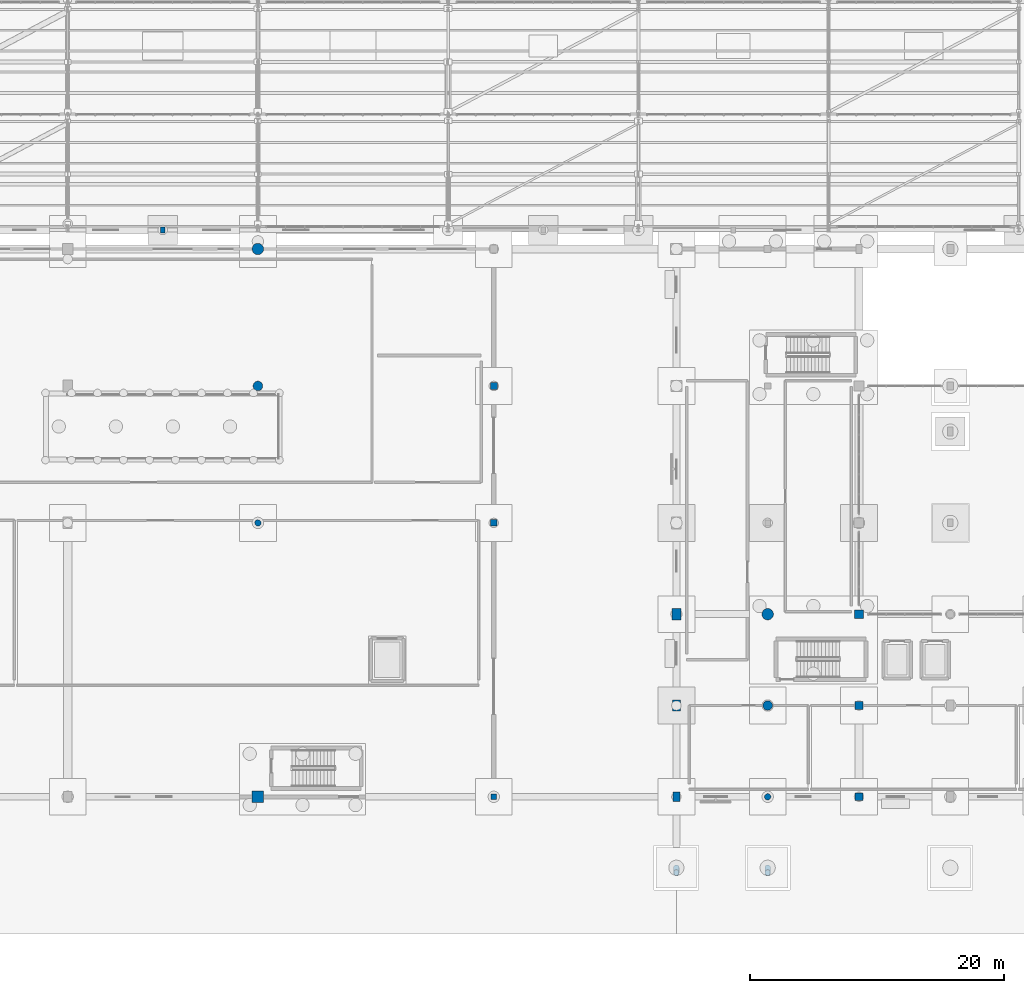
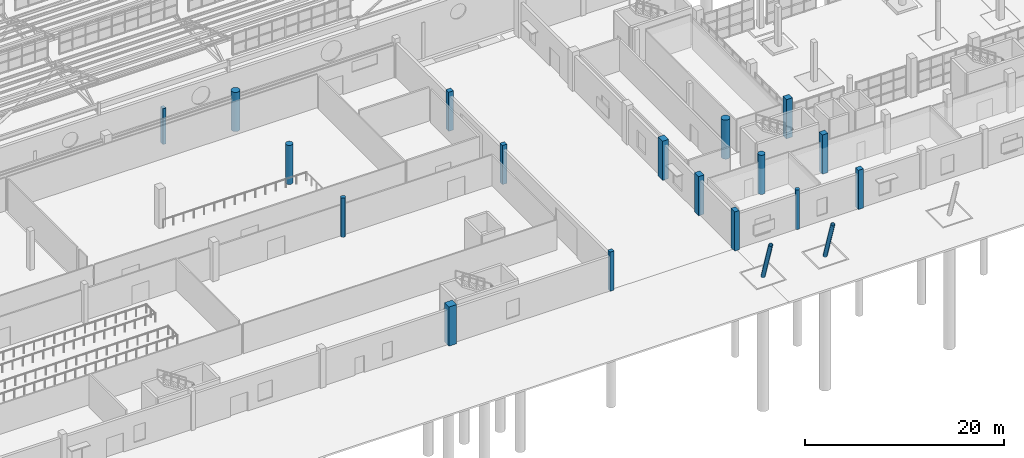
# One storey, part 15 of 285: 19 columns.
"""IFC4 building model written with IfcOpenShell, lengths in metres."""

from ifc_helpers import new_model, si_unit, direction, frame, origin, origin_2d, place, context, subcontext, project, spatial, rectangle, circle, hollow_circle, extrude, material, material_profile, profile_set, type_object, element, save


model = new_model("IFC4")

# Units and contexts
model_context = context("Model", 3, precision=1e-05, world=origin(), true_north=direction((0.0, 1.0)))
body_context = subcontext(model_context, "Body", "Model", "MODEL_VIEW")
ifc_project = project(units=[si_unit("LENGTHUNIT", "METRE"), si_unit("AREAUNIT", "SQUARE_METRE"), si_unit("VOLUMEUNIT", "CUBIC_METRE"), si_unit("PLANEANGLEUNIT", "RADIAN"), si_unit("MASSUNIT", "GRAM", prefix="KILO")], contexts=[model_context])

# Site, building, storey
site_placement = place(None, origin())
site = spatial("IfcSite", under=ifc_project, at=site_placement, CompositionType="ELEMENT")
building_placement = place(site_placement, origin())
building = spatial("IfcBuilding", under=site, at=building_placement, Name="Solanera Park Tramway Depot", CompositionType="ELEMENT")
storey_placement = place(building_placement, origin())
storey = spatial("IfcBuildingStorey", under=building, at=storey_placement, Name="L00", CompositionType="ELEMENT", Elevation=0.0)

# Columns
ifc_material_1 = material(Name="Concrete N40 (C40/50)", Category="concrete")
ifc_material_profile_1 = material_profile(ifc_material_1, rectangle(XDim=0.35009765625, YDim=0.5, at=origin_2d()), Name="PIL 350x500")
ifc_profile_set_1 = profile_set([ifc_material_profile_1], Name="Concrete N40 (C40/50)")
column_type_1 = type_object("IfcColumnType", Name="Classical Facade Pilaster PIL 350x500", PredefinedType="PILASTER", material=ifc_profile_set_1)
column_1_placement = place(storey_placement, frame((67.5, 55.5, 0.0), z_axis=(0.0, 0.0, 1.0), x_axis=(1.0, 0.0, 0.0)))
element("IfcColumn", 1, at=column_1_placement, inside=storey, type_object=column_type_1, Name="L00 Classical Pilaster 03", PredefinedType="PILASTER", context=body_context, shape_type="SweptSolid", body=[
    extrude(rectangle(XDim=0.35009765625, YDim=0.5, at=origin_2d()), origin(), (0.0, 0.0, 1.0), 4.39990234375),
])
ifc_material_2 = material(Name="Concrete N40 (C40/50)", Category="concrete")
ifc_material_profile_2 = material_profile(ifc_material_2, rectangle(XDim=0.449951171875, YDim=0.449951171875, at=origin_2d()), Name="RC 450x450")
ifc_profile_set_2 = profile_set([ifc_material_profile_2], Name="Concrete N40 (C40/50)")
column_type_2 = type_object("IfcColumnType", Name="RC Column Ext RC 450x450", PredefinedType="COLUMN", material=ifc_profile_set_2)
column_2_placement = place(storey_placement, frame((93.60009765625, 10.800048828125, 0.0), z_axis=(0.0, 0.0, 1.0), x_axis=(1.0, 0.0, 0.0)))
element("IfcColumn", 2, at=column_2_placement, inside=storey, type_object=column_type_2, Name="L00 Column V2-X936-Y108", PredefinedType="COLUMN", context=body_context, shape_type="SweptSolid", body=[
    extrude(rectangle(XDim=0.449951171875, YDim=0.449951171875, at=origin_2d()), origin(), (0.0, 0.0, 1.0), 4.800048828125),
])
ifc_material_3 = material(Name="Concrete N40 (C40/50)", Category="concrete")
ifc_material_profile_3 = material_profile(ifc_material_3, rectangle(XDim=0.5, YDim=0.5, at=origin_2d()), Name="RC 500x500")
ifc_profile_set_3 = profile_set([ifc_material_profile_3], Name="Concrete N40 (C40/50)")
column_type_3 = type_object("IfcColumnType", Name="RC Column Ext RC 500x500", PredefinedType="COLUMN", material=ifc_profile_set_3)
column_3_placement = place(storey_placement, frame((93.60009765625, 32.39990234375, 0.0), z_axis=(0.0, 0.0, 1.0), x_axis=(1.0, 0.0, 0.0)))
element("IfcColumn", 3, at=column_3_placement, inside=storey, type_object=column_type_3, Name="L00 Column V2-X936-Y324", PredefinedType="COLUMN", context=body_context, shape_type="SweptSolid", body=[
    extrude(rectangle(XDim=0.5, YDim=0.5, at=origin_2d()), origin(), (0.0, 0.0, 1.0), 4.800048828125),
])
ifc_material_4 = material(Name="Concrete N40 (C40/50)", Category="concrete")
ifc_material_profile_4 = material_profile(ifc_material_4, rectangle(XDim=0.550048828125, YDim=0.550048828125, at=origin_2d()), Name="RC 550x550")
ifc_profile_set_4 = profile_set([ifc_material_profile_4], Name="Concrete N40 (C40/50)")
column_type_4 = type_object("IfcColumnType", Name="RC Column Ext RC 550x550", PredefinedType="COLUMN", material=ifc_profile_set_4)
column_4_placement = place(storey_placement, frame((93.60009765625, 43.199951171875, 0.0), z_axis=(0.0, 0.0, 1.0), x_axis=(1.0, 0.0, 0.0)))
element("IfcColumn", 4, at=column_4_placement, inside=storey, type_object=column_type_4, Name="L00 Column V2-X936-Y432", PredefinedType="COLUMN", context=body_context, shape_type="SweptSolid", body=[
    extrude(rectangle(XDim=0.550048828125, YDim=0.550048828125, at=origin_2d()), origin(), (0.0, 0.0, 1.0), 4.800048828125),
])
ifc_material_5 = material(Name="Concrete N40 (C40/50)", Category="concrete")
ifc_material_profile_5 = material_profile(ifc_material_5, rectangle(XDim=0.550048828125, YDim=0.75, at=origin_2d()), Name="RC 550x750")
ifc_profile_set_5 = profile_set([ifc_material_profile_5], Name="Concrete N40 (C40/50)")
column_type_5 = type_object("IfcColumnType", Name="RC Column Ext RC 550x750", PredefinedType="COLUMN", material=ifc_profile_set_5)
column_5_placement = place(storey_placement, frame((108.0, 10.800048828125, 0.0), z_axis=(0.0, 0.0, 1.0), x_axis=(1.0, 0.0, 0.0)))
element("IfcColumn", 5, at=column_5_placement, inside=storey, type_object=column_type_5, Name="L00 Column V4-X1080-Y108", PredefinedType="COLUMN", context=body_context, shape_type="SweptSolid", body=[
    extrude(rectangle(XDim=0.550048828125, YDim=0.75, at=origin_2d()), origin(), (0.0, 0.0, 1.0), 4.800048828125),
])
ifc_material_6 = material(Name="Concrete N40 (C40/50)", Category="concrete")
ifc_material_profile_6 = material_profile(ifc_material_6, rectangle(XDim=0.60009765625, YDim=0.60009765625, at=origin_2d()), Name="RC 600x600")
ifc_profile_set_6 = profile_set([ifc_material_profile_6], Name="Concrete N40 (C40/50)")
column_type_6 = type_object("IfcColumnType", Name="RC Column Ext RC 600x600", PredefinedType="COLUMN", material=ifc_profile_set_6)
column_6_placement = place(storey_placement, frame((122.39990234375, 10.800048828125, 0.0), z_axis=(0.0, 0.0, 1.0), x_axis=(1.0, 0.0, 0.0)))
element("IfcColumn", 6, at=column_6_placement, inside=storey, type_object=column_type_6, Name="L00 Column V4-X1224-Y108", PredefinedType="COLUMN", context=body_context, shape_type="SweptSolid", body=[
    extrude(rectangle(XDim=0.60009765625, YDim=0.60009765625, at=origin_2d()), origin(), (0.0, 0.0, 1.0), 4.800048828125),
])
ifc_material_7 = material(Name="Concrete N40 (C40/50)", Category="concrete")
ifc_material_profile_7 = material_profile(ifc_material_7, rectangle(XDim=0.64990234375, YDim=0.85009765625, at=origin_2d()), Name="RC 650x850")
ifc_profile_set_7 = profile_set([ifc_material_profile_7], Name="Concrete N40 (C40/50)")
column_type_7 = type_object("IfcColumnType", Name="RC Column Ext RC 650x850", PredefinedType="COLUMN", material=ifc_profile_set_7)
column_7_placement = place(storey_placement, frame((108.0, 18.0, 0.0), z_axis=(0.0, 0.0, 1.0), x_axis=(1.0, 0.0, 0.0)))
element("IfcColumn", 7, at=column_7_placement, inside=storey, type_object=column_type_7, Name="L00 Column V4-X1080-Y180", PredefinedType="COLUMN", context=body_context, shape_type="SweptSolid", body=[
    extrude(rectangle(XDim=0.64990234375, YDim=0.85009765625, at=origin_2d()), origin(), (0.0, 0.0, 1.0), 4.800048828125),
])
ifc_material_8 = material(Name="Concrete N40 (C40/50)", Category="concrete")
ifc_material_profile_8 = material_profile(ifc_material_8, rectangle(XDim=0.699951171875, YDim=0.89990234375, at=origin_2d()), Name="RC 700x900")
ifc_profile_set_8 = profile_set([ifc_material_profile_8], Name="Concrete N40 (C40/50)")
column_type_8 = type_object("IfcColumnType", Name="RC Column Ext RC 700x900", PredefinedType="COLUMN", material=ifc_profile_set_8)
column_8_placement = place(storey_placement, frame((108.0, 25.199951171875, 0.0), z_axis=(0.0, 0.0, 1.0), x_axis=(1.0, 0.0, 0.0)))
element("IfcColumn", 8, at=column_8_placement, inside=storey, type_object=column_type_8, Name="L00 Column V4-X1080-Y252", PredefinedType="COLUMN", context=body_context, shape_type="SweptSolid", body=[
    extrude(rectangle(XDim=0.699951171875, YDim=0.89990234375, at=origin_2d()), origin(), (0.0, 0.0, 1.0), 4.800048828125),
])
ifc_material_9 = material(Name="Concrete N40 (C40/50)", Category="concrete")
ifc_material_profile_9 = material_profile(ifc_material_9, rectangle(XDim=0.89990234375, YDim=0.89990234375, at=origin_2d()), Name="RC 900x900")
ifc_profile_set_9 = profile_set([ifc_material_profile_9], Name="Concrete N40 (C40/50)")
column_type_9 = type_object("IfcColumnType", Name="RC Column Ext RC 900x900", PredefinedType="COLUMN", material=ifc_profile_set_9)
column_9_placement = place(storey_placement, frame((75.0, 10.800048828125, 0.0), z_axis=(0.0, 0.0, 1.0), x_axis=(1.0, 0.0, 0.0)))
element("IfcColumn", 9, at=column_9_placement, inside=storey, type_object=column_type_9, Name="L00 Column V2-X750-Y108", PredefinedType="COLUMN", context=body_context, shape_type="SweptSolid", body=[
    extrude(rectangle(XDim=0.89990234375, YDim=0.89990234375, at=origin_2d()), origin(), (0.0, 0.0, 1.0), 4.800048828125),
])
ifc_material_10 = material(Name="Concrete N40 (C40/50)", Category="concrete")
ifc_material_profile_10 = material_profile(ifc_material_10, circle(Radius=0.25, at=origin_2d()), Name="RC D500")
ifc_profile_set_10 = profile_set([ifc_material_profile_10], Name="Concrete N40 (C40/50)")
column_type_10 = type_object("IfcColumnType", Name="RC Column Ext RC D500", PredefinedType="COLUMN", material=ifc_profile_set_10)
column_10_placement = place(storey_placement, frame((115.199951171875, 10.800048828125, 0.0), z_axis=(0.0, 0.0, 1.0), x_axis=(1.0, 0.0, 0.0)))
element("IfcColumn", 10, at=column_10_placement, inside=storey, type_object=column_type_10, Name="L00 Column V4-X1152-Y108", PredefinedType="COLUMN", context=body_context, shape_type="SweptSolid", body=[
    extrude(circle(Radius=0.25, at=origin_2d()), origin(), (0.0, 0.0, 1.0), 4.800048828125),
])
ifc_material_11 = material(Name="Concrete N40 (C40/50)", Category="concrete")
ifc_material_profile_11 = material_profile(ifc_material_11, circle(Radius=0.449951171875, at=origin_2d()), Name="RC D900")
ifc_profile_set_11 = profile_set([ifc_material_profile_11], Name="Concrete N40 (C40/50)")
column_type_11 = type_object("IfcColumnType", Name="RC Column Ext RC D900", PredefinedType="COLUMN", material=ifc_profile_set_11)
column_11_placement = place(storey_placement, frame((75.0, 54.0, 0.0), z_axis=(0.0, 0.0, 1.0), x_axis=(1.0, 0.0, 0.0)))
element("IfcColumn", 11, at=column_11_placement, inside=storey, type_object=column_type_11, Name="L00 Column V2-X750-Y540", PredefinedType="COLUMN", context=body_context, shape_type="SweptSolid", body=[
    extrude(circle(Radius=0.449951171875, at=origin_2d()), origin(), (0.0, 0.0, 1.0), 4.800048828125),
])
ifc_material_12 = material(Name="Concrete N40 (C40/50)", Category="concrete")
ifc_material_profile_12 = material_profile(ifc_material_12, rectangle(XDim=0.64990234375, YDim=0.64990234375, at=origin_2d()), Name="RC 650x650")
ifc_profile_set_12 = profile_set([ifc_material_profile_12], Name="Concrete N40 (C40/50)")
column_type_12 = type_object("IfcColumnType", Name="RC Column Int RC 650x650", PredefinedType="COLUMN", material=ifc_profile_set_12)
column_12_placement = place(storey_placement, frame((122.39990234375, 18.0, 0.0), z_axis=(0.0, 0.0, 1.0), x_axis=(1.0, 0.0, 0.0)))
element("IfcColumn", 12, at=column_12_placement, inside=storey, type_object=column_type_12, Name="L00 Column V4-X1224-Y180", PredefinedType="COLUMN", context=body_context, shape_type="SweptSolid", body=[
    extrude(rectangle(XDim=0.64990234375, YDim=0.64990234375, at=origin_2d()), origin(), (0.0, 0.0, 1.0), 4.800048828125),
])
ifc_material_13 = material(Name="Concrete N40 (C40/50)", Category="concrete")
ifc_material_profile_13 = material_profile(ifc_material_13, rectangle(XDim=0.699951171875, YDim=0.699951171875, at=origin_2d()), Name="RC 700x700")
ifc_profile_set_13 = profile_set([ifc_material_profile_13], Name="Concrete N40 (C40/50)")
column_type_13 = type_object("IfcColumnType", Name="RC Column Int RC 700x700", PredefinedType="COLUMN", material=ifc_profile_set_13)
column_13_placement = place(storey_placement, frame((122.39990234375, 25.199951171875, 0.0), z_axis=(0.0, 0.0, 1.0), x_axis=(1.0, 0.0, 0.0)))
element("IfcColumn", 13, at=column_13_placement, inside=storey, type_object=column_type_13, Name="L00 Column V4-X1224-Y252", PredefinedType="COLUMN", context=body_context, shape_type="SweptSolid", body=[
    extrude(rectangle(XDim=0.699951171875, YDim=0.699951171875, at=origin_2d()), origin(), (0.0, 0.0, 1.0), 4.800048828125),
])
ifc_material_14 = material(Name="Concrete N40 (C40/50)", Category="concrete")
ifc_material_profile_14 = material_profile(ifc_material_14, circle(Radius=0.25, at=origin_2d()), Name="RC D500")
ifc_profile_set_14 = profile_set([ifc_material_profile_14], Name="Concrete N40 (C40/50)")
column_type_14 = type_object("IfcColumnType", Name="RC Column Int RC D500", PredefinedType="COLUMN", material=ifc_profile_set_14)
column_14_placement = place(storey_placement, frame((75.0, 32.39990234375, 0.0), z_axis=(0.0, 0.0, 1.0), x_axis=(1.0, 0.0, 0.0)))
element("IfcColumn", 14, at=column_14_placement, inside=storey, type_object=column_type_14, Name="L00 Column V2-X750-Y324", PredefinedType="COLUMN", context=body_context, shape_type="SweptSolid", body=[
    extrude(circle(Radius=0.25, at=origin_2d()), origin(), (0.0, 0.0, 1.0), 4.800048828125),
])
ifc_material_15 = material(Name="Concrete N40 (C40/50)", Category="concrete")
ifc_material_profile_15 = material_profile(ifc_material_15, circle(Radius=0.375, at=origin_2d()), Name="RC D750")
ifc_profile_set_15 = profile_set([ifc_material_profile_15], Name="Concrete N40 (C40/50)")
column_type_15 = type_object("IfcColumnType", Name="RC Column Int RC D750", PredefinedType="COLUMN", material=ifc_profile_set_15)
for number, where, z_axis, x_axis, name in (
    (15, (75.0, 43.199951171875, 0.0), (0.0, 0.0, 1.0), (1.0, 0.0, 0.0), "L00 Column V2-X750-Y432"),
    (16, (115.199951171875, 18.0, 0.0), (0.0, 0.0, 1.0), (1.0, 0.0, 0.0), "L00 Column V4-X1152-Y180"),
):
    element("IfcColumn", number, at=place(storey_placement, frame(where, z_axis=z_axis, x_axis=x_axis)), inside=storey, type_object=column_type_15, Name=name, PredefinedType="COLUMN", context=body_context, shape_type="SweptSolid", body=[
        extrude(circle(Radius=0.375, at=origin_2d()), origin(), (0.0, 0.0, 1.0), 4.800048828125),
    ])
ifc_material_16 = material(Name="Concrete N40 (C40/50)", Category="concrete")
ifc_material_profile_16 = material_profile(ifc_material_16, circle(Radius=0.449951171875, at=origin_2d()), Name="RC D900")
ifc_profile_set_16 = profile_set([ifc_material_profile_16], Name="Concrete N40 (C40/50)")
column_type_16 = type_object("IfcColumnType", Name="RC Column Int RC D900", PredefinedType="COLUMN", material=ifc_profile_set_16)
column_15_placement = place(storey_placement, frame((115.199951171875, 25.199951171875, 0.0), z_axis=(0.0, 0.0, 1.0), x_axis=(1.0, 0.0, 0.0)))
element("IfcColumn", 17, at=column_15_placement, inside=storey, type_object=column_type_16, Name="L00 Column V4-X1152-Y252", PredefinedType="COLUMN", context=body_context, shape_type="SweptSolid", body=[
    extrude(circle(Radius=0.449951171875, at=origin_2d()), origin(), (0.0, 0.0, 1.0), 4.800048828125),
])
ifc_material_17 = material(Name="Steel AS/NZS 1163 Grade C350L0", Category="steel")
ifc_material_profile_17 = material_profile(ifc_material_17, hollow_circle(Radius=0.228515625, WallThickness=0.0126953125, at=origin_2d()), Name="457.0x12.7 CHS")
ifc_profile_set_17 = profile_set([ifc_material_profile_17], Name="Steel AS/NZS 1163 Grade C350L0")
column_type_17 = type_object("IfcColumnType", Name="Steel Column Ext 457.0x12.7 CHS", PredefinedType="COLUMN", material=ifc_profile_set_17)
for number, where, z_axis, x_axis, name in (
    (18, (115.199951171875, 5.207275390625, 0.0), (0.0, -0.309006224481, 0.951060015578), (1.0, 0.0, 0.0), "L00 Raked Head-Block Support Column 01"),
    (19, (108.0, 5.207275390625, 0.0), (0.0, -0.309006224481, 0.951060015578), (1.0, 0.0, 0.0), "L00 Raked Azotea Support Column 1"),
):
    element("IfcColumn", number, at=place(storey_placement, frame(where, z_axis=z_axis, x_axis=x_axis)), inside=storey, type_object=column_type_17, Name=name, PredefinedType="COLUMN", context=body_context, shape_type="SweptSolid", body=[
        extrude(hollow_circle(Radius=0.228515625, WallThickness=0.0126953125, at=origin_2d()), origin(), (0.0, 0.0, 1.0), 5.047119140625),
    ])

save(model, "model.ifc")
